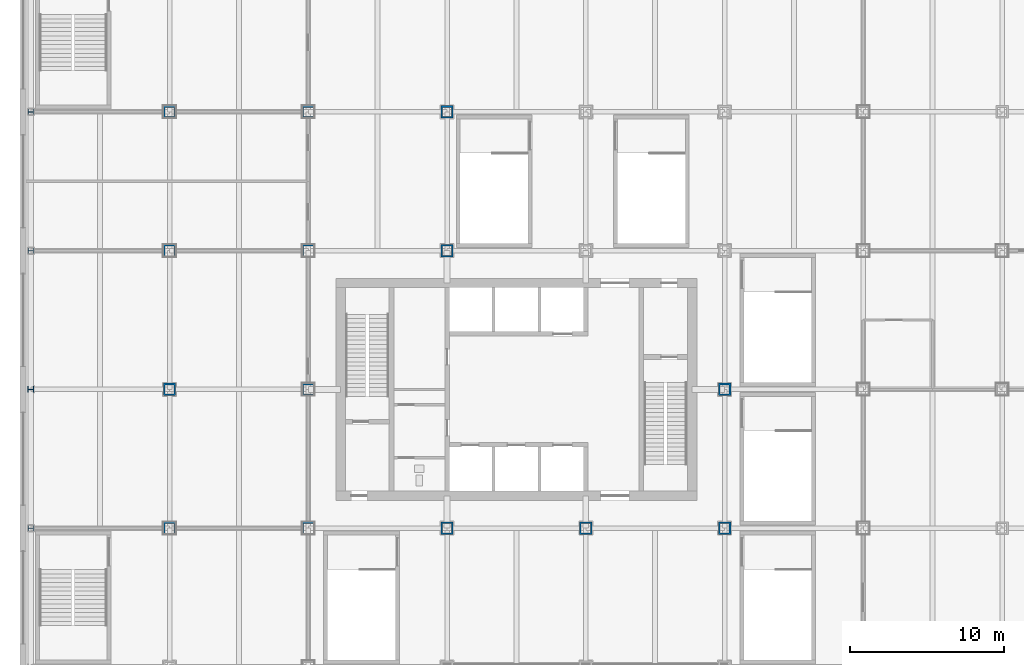
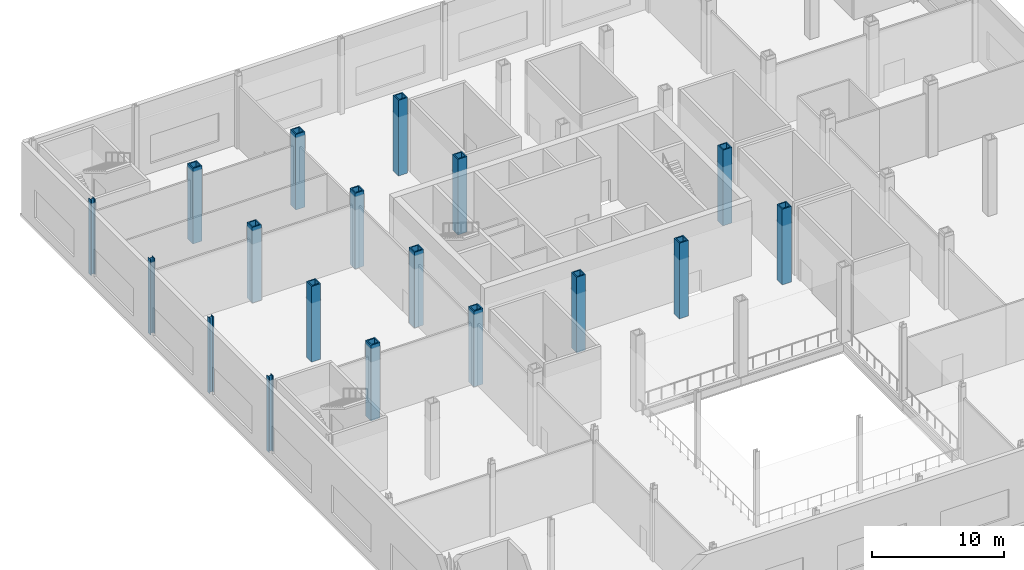
# One storey, part 3 of 32: 18 columns.
"""IFC4 building model written with IfcOpenShell, lengths in metres."""

from ifc_helpers import new_model, si_unit, direction, frame, origin, origin_2d, place, context, subcontext, project, spatial, hollow_rectangle, i_section, extrude, material, material_profile, profile_set, type_object, element, save


model = new_model("IFC4")

# Units and contexts
model_context = context("Model", 3, precision=1e-05, world=origin(), true_north=direction((0.0, 1.0)))
body_context = subcontext(model_context, "Body", "Model", "MODEL_VIEW")
ifc_project = project(units=[si_unit("LENGTHUNIT", "METRE"), si_unit("AREAUNIT", "SQUARE_METRE"), si_unit("VOLUMEUNIT", "CUBIC_METRE"), si_unit("PLANEANGLEUNIT", "RADIAN"), si_unit("MASSUNIT", "GRAM", prefix="KILO")], contexts=[model_context])

# Site, building, storey
site_placement = place(None, origin())
site = spatial("IfcSite", under=ifc_project, at=site_placement, CompositionType="ELEMENT")
building_placement = place(site_placement, origin())
building = spatial("IfcBuilding", under=site, at=building_placement, Name="Loomwork Tower", CompositionType="ELEMENT")
storey_placement = place(building_placement, frame((0.0, 0.0, 16.0)))
storey = spatial("IfcBuildingStorey", under=building, at=storey_placement, Name="L03", CompositionType="ELEMENT", Elevation=16.0)

# Columns
ifc_material_1 = material(Name="Steel ASTM A572 Grade 50 plate", Category="steel")
ifc_material_profile_1 = material_profile(ifc_material_1, hollow_rectangle(XDim=0.800048828125, YDim=0.800048828125, WallThickness=0.10009765625, at=origin_2d()), Name="BOX800x100")
ifc_profile_set_1 = profile_set([ifc_material_profile_1], Name="Steel ASTM A572 Grade 50 plate")
column_type_1 = type_object("IfcColumnType", Name="EXOSKELETON PIER BOX800x100", PredefinedType="COLUMN", material=ifc_profile_set_1)
for number, where, z_axis, x_axis, name in (
    (1, (0.0, 9.0, 0.0), (0.0, 0.0, 1.0), (0.0, 1.0, 0.0), "Exoskeleton Pier E/2 L03"),
    (2, (0.0, 18.0, 0.0), (0.0, 0.0, 1.0), (0.0, 1.0, 0.0), "Exoskeleton Pier F/2 L03"),
    (3, (0.0, 27.0, 0.0), (0.0, 0.0, 1.0), (0.0, 1.0, 0.0), "Exoskeleton Pier G/2 L03"),
    (4, (0.0, 36.0, 0.0), (0.0, 0.0, 1.0), (1.0, 0.0, 0.0), "Exoskeleton Pier H/2 L03"),
    (5, (9.0, 36.0, 0.0), (0.0, 0.0, 1.0), (1.0, 0.0, 0.0), "Exoskeleton Pier H/3 L03"),
    (6, (18.0, 36.0, 0.0), (0.0, 0.0, 1.0), (1.0, 0.0, 0.0), "Exoskeleton Pier H/4 L03"),
):
    element("IfcColumn", number, at=place(storey_placement, frame(where, z_axis=z_axis, x_axis=x_axis)), inside=storey, type_object=column_type_1, Name=name, PredefinedType="COLUMN", context=body_context, shape_type="SweptSolid", body=[
        extrude(hollow_rectangle(XDim=0.800048828125, YDim=0.800048828125, WallThickness=0.10009765625, at=origin_2d()), origin(), (0.0, 0.0, 1.0), 7.0),
    ])
ifc_material_2 = material(Name="Steel ASTM A992", Category="steel")
ifc_material_profile_2 = material_profile(ifc_material_2, i_section(OverallWidth=0.393798828125, OverallDepth=0.3759765625, WebThickness=0.017333984375, FlangeThickness=0.027587890625, at=origin_2d()), Name="W14x145")
ifc_profile_set_2 = profile_set([ifc_material_profile_2], Name="Steel ASTM A992")
column_type_2 = type_object("IfcColumnType", Name="PODIUM COLUMN W14x145", PredefinedType="COLUMN", material=ifc_profile_set_2)
for number, where, z_axis, x_axis, name in (
    (7, (-9.0, 9.0, 0.0), (0.0, 0.0, 1.0), (0.0, 1.0, 0.0), "Podium Column E/1 L03"),
    (8, (-9.0, 18.0, 0.0), (0.0, 0.0, 1.0), (0.0, 1.0, 0.0), "Podium Column F/1 L03"),
    (9, (-9.0, 27.0, 0.0), (0.0, 0.0, 1.0), (0.0, 1.0, 0.0), "Podium Column G/1 L03"),
    (10, (-9.0, 36.0, 0.0), (0.0, 0.0, 1.0), (0.0, 1.0, 0.0), "Podium Column H/1 L03"),
):
    element("IfcColumn", number, at=place(storey_placement, frame(where, z_axis=z_axis, x_axis=x_axis)), inside=storey, type_object=column_type_2, Name=name, PredefinedType="COLUMN", context=body_context, shape_type="SweptSolid", body=[
        extrude(i_section(OverallWidth=0.393798828125, OverallDepth=0.3759765625, WebThickness=0.017333984375, FlangeThickness=0.027587890625, at=origin_2d()), origin(), (0.0, 0.0, 1.0), 7.0),
    ])
ifc_material_3 = material(Name="Steel ASTM A572 Grade 50 plate", Category="steel")
ifc_material_profile_3 = material_profile(ifc_material_3, hollow_rectangle(XDim=0.800048828125, YDim=0.800048828125, WallThickness=0.10009765625, at=origin_2d()), Name="BOX800x100")
ifc_profile_set_3 = profile_set([ifc_material_profile_3], Name="Steel ASTM A572 Grade 50 plate")
column_type_3 = type_object("IfcColumnType", Name="TOWER COLUMN BOX800x100", PredefinedType="COLUMN", material=ifc_profile_set_3)
for number, where, z_axis, x_axis, name in (
    (11, (9.0, 9.0, 0.0), (0.0, 0.0, 1.0), (1.0, 0.0, 0.0), "Tower Column E/3 L03"),
    (12, (9.0, 18.0, 0.0), (0.0, 0.0, 1.0), (1.0, 0.0, 0.0), "Tower Column F/3 L03"),
    (13, (9.0, 27.0, 0.0), (0.0, 0.0, 1.0), (1.0, 0.0, 0.0), "Tower Column G/3 L03"),
    (14, (18.0, 9.0, 0.0), (0.0, 0.0, 1.0), (1.0, 0.0, 0.0), "Tower Column E/4 L03"),
    (15, (18.0, 27.0, 0.0), (0.0, 0.0, 1.0), (1.0, 0.0, 0.0), "Tower Column G/4 L03"),
    (16, (27.0, 9.0, 0.0), (0.0, 0.0, 1.0), (1.0, 0.0, 0.0), "Tower Column E/5 L03"),
    (17, (36.0, 9.0, 0.0), (0.0, 0.0, 1.0), (0.0, 1.0, 0.0), "Tower Column E/6 L03"),
    (18, (36.0, 18.0, 0.0), (0.0, 0.0, 1.0), (0.0, 1.0, 0.0), "Tower Column F/6 L03"),
):
    element("IfcColumn", number, at=place(storey_placement, frame(where, z_axis=z_axis, x_axis=x_axis)), inside=storey, type_object=column_type_3, Name=name, PredefinedType="COLUMN", context=body_context, shape_type="SweptSolid", body=[
        extrude(hollow_rectangle(XDim=0.800048828125, YDim=0.800048828125, WallThickness=0.10009765625, at=origin_2d()), origin(), (0.0, 0.0, 1.0), 7.0),
    ])

save(model, "model.ifc")
